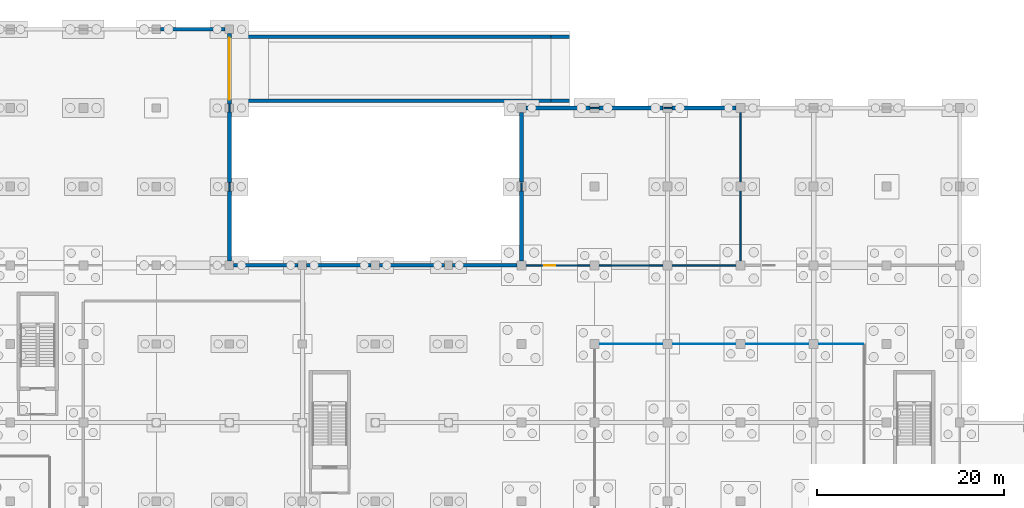
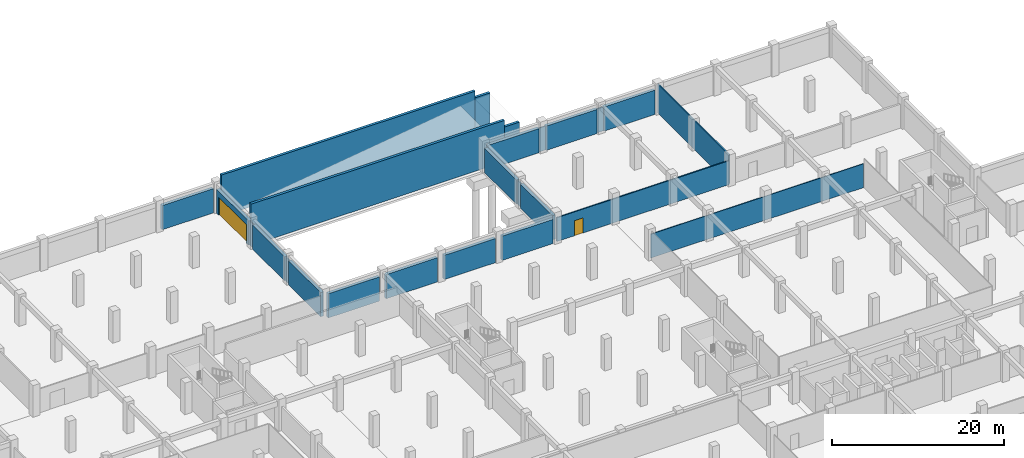
# One storey, part 20 of 30: 25 walls, 2 doors, 2 openings.
"""IFC4 building model written with IfcOpenShell, lengths in metres."""

import ifcopenshell
import ifcopenshell.guid

model = None  # the IFC model being written
_history = None  # IfcOwnerHistory: only IFC2X3 demands one
_inside = {}  # id of a spatial element -> (the spatial element, [elements in it])
_under = {}  # id of a project, library or spatial element -> (it, [spatial elements below it])
_declared = {}  # id of a project -> (the project, [libraries it declares])
_typed = {}  # id of a type object -> (the type object, [elements of that type])
_made_of = {}  # id of a material, layer set ... -> (it, [elements and type objects made of it])


def new_model(schema):
    """Start an empty IFC model of exactly this schema.

    Asked for "IFC4X3", IfcOpenShell would pick the latest addendum, in which some entities
    have other attributes; the version numbers below select the first issue.
    IFC2X3 requires an IfcOwnerHistory on every rooted entity: one is made here for all.
    """
    global model, _history
    if schema == "IFC4X3":
        model = ifcopenshell.file(schema_version=(4, 3, 0, 0))
    else:
        model = ifcopenshell.file(schema=schema)
    _inside.clear()
    _under.clear()
    _declared.clear()
    _typed.clear()
    _made_of.clear()
    _history = None
    if model.schema == "IFC2X3":
        org = make("IfcOrganization", Name="unknown")
        user = make(
            "IfcPersonAndOrganization",
            ThePerson=make("IfcPerson", FamilyName="unknown"),
            TheOrganization=org,
        )
        app = make(
            "IfcApplication",
            ApplicationDeveloper=org,
            Version="unknown",
            ApplicationFullName="unknown",
            ApplicationIdentifier="unknown",
        )
        _history = make(
            "IfcOwnerHistory",
            OwningUser=user,
            OwningApplication=app,
            ChangeAction="ADDED",
            CreationDate=0,
        )
    return model


def make(cls, **values):
    """One entity of the class cls with the attributes given. An attribute that is None is left unset."""
    return model.create_entity(
        cls, **{name: value for name, value in values.items() if value is not None}
    )


def rooted(cls, **values):
    """An entity with a GlobalId (a new one), such as an element, a storey or a relation."""
    return make(cls, GlobalId=ifcopenshell.guid.new(), OwnerHistory=_history, **values)


def si_unit(unit_type, name, prefix=None):
    """IfcSIUnit, for example si_unit("LENGTHUNIT", "METRE", prefix="MILLI")."""
    return make("IfcSIUnit", UnitType=unit_type, Prefix=prefix, Name=name)


def assignment(units):
    """IfcUnitAssignment: the units of a project."""
    return None if units is None else make("IfcUnitAssignment", Units=units)


def point(xyz):
    """IfcCartesianPoint."""
    return None if xyz is None else make("IfcCartesianPoint", Coordinates=xyz)


def direction(xyz):
    """IfcDirection."""
    return None if xyz is None else make("IfcDirection", DirectionRatios=xyz)


def frame(location, z_axis=None, x_axis=None):
    """IfcAxis2Placement3D, a coordinate frame: its origin and axes. An axis left out is left unset."""
    return make(
        "IfcAxis2Placement3D",
        Location=point(location),
        Axis=direction(z_axis),
        RefDirection=direction(x_axis),
    )


def frame_2d(location, x_axis=None):
    """IfcAxis2Placement2D, a coordinate frame in the plane: its origin and x axis."""
    return make(
        "IfcAxis2Placement2D", Location=point(location), RefDirection=direction(x_axis)
    )


def origin():
    """The frame at (0, 0, 0) with its axes left unset."""
    return frame((0.0, 0.0, 0.0))


def place(relative_to, where):
    """IfcLocalPlacement: puts the frame where relative to a parent placement (None: the world)."""
    return make(
        "IfcLocalPlacement", PlacementRelTo=relative_to, RelativePlacement=where
    )


def context(
    kind, dimensions, precision=None, world=None, true_north=None, identifier=None
):
    """IfcGeometricRepresentationContext, for example the 3D "Model" context."""
    return make(
        "IfcGeometricRepresentationContext",
        ContextIdentifier=identifier,
        ContextType=kind,
        CoordinateSpaceDimension=dimensions,
        Precision=precision,
        WorldCoordinateSystem=world,
        TrueNorth=true_north,
    )


def subcontext(parent, identifier, kind, view, scale=None):
    """IfcGeometricRepresentationSubContext, for example "Body" below "Model"."""
    return make(
        "IfcGeometricRepresentationSubContext",
        ContextIdentifier=identifier,
        ContextType=kind,
        ParentContext=parent,
        TargetScale=scale,
        TargetView=view,
    )


def project(units=None, contexts=None):
    """IfcProject with its units and contexts."""
    return rooted(
        "IfcProject",
        Name="project",
        RepresentationContexts=contexts,
        UnitsInContext=assignment(units),
    )


def spatial(cls, under=None, at=None, **own):
    """A site, building, storey or space (cls), placed at a placement, below another one or the project."""
    s = rooted(cls, ObjectPlacement=at, **own)
    if under is not None:
        _under.setdefault(under.id(), (under, []))[1].append(s)
    return s


def profile(cls, at=None, kind="AREA", **sizes):
    """A parametric profile (cls). Its sizes go by their IFC names, for example OverallWidth=200.0."""
    return make(cls, ProfileType=kind, Position=at, **sizes)


def rectangle(**sizes):
    """IfcRectangleProfileDef."""
    return profile("IfcRectangleProfileDef", **sizes)


def extrude(swept, where, along, depth):
    """IfcExtrudedAreaSolid: the profile swept, set in the frame where, extruded along a direction by depth."""
    return make(
        "IfcExtrudedAreaSolid",
        SweptArea=swept,
        Position=where,
        ExtrudedDirection=direction(along),
        Depth=depth,
    )


def shape(context_of_items, identifier, shape_type, items):
    """IfcShapeRepresentation: the items that make up one representation, for example the "Body"."""
    return make(
        "IfcShapeRepresentation",
        ContextOfItems=context_of_items,
        RepresentationIdentifier=identifier,
        RepresentationType=shape_type,
        Items=items,
    )


def material(Name=None, Category=None):
    """IfcMaterial."""
    return make("IfcMaterial", Name=Name, Category=Category)


def layer(
    of_material, thickness, ventilated=None, Name=None, Category=None, Priority=None
):
    """IfcMaterialLayer: one layer of a wall or slab, of a material (None: an air gap)."""
    return make(
        "IfcMaterialLayer",
        Material=of_material,
        LayerThickness=thickness,
        IsVentilated=ventilated,
        Name=Name,
        Category=Category,
        Priority=Priority,
    )


def layer_set(layers, Name=None):
    """IfcMaterialLayerSet."""
    return make("IfcMaterialLayerSet", MaterialLayers=layers, LayerSetName=Name)


def made_of(thing, what):
    """Note that an element or type object is made of a material, layer set ...; save() writes the relation."""
    if what is not None:
        _made_of.setdefault(what.id(), (what, []))[1].append(thing)
    return thing


def type_object(cls, material=None, **own):
    """A type object (cls), such as IfcWallType, which elements share."""
    return made_of(rooted(cls, **own), material)


def element(
    cls,
    number,
    at=None,
    inside=None,
    cuts=None,
    type_object=None,
    material=None,
    context=None,
    identifier="Body",
    shape_type=None,
    held_by="IfcProductDefinitionShape",
    body=None,
    shapes=None,
    **own,
):
    """One element of the class cls, such as IfcWall. Its Tag is "e" and its number.

    at: its placement. inside: the storey or other place that contains it. cuts: it is an
    opening in that element (IfcRelVoidsElement). A single representation is given by context,
    identifier, shape_type and body (its items); several are given by shapes. held_by: the class
    of the entity that holds the representations. save() writes the other relations.
    """
    e = rooted(cls, Tag="e%d" % number, ObjectPlacement=at, **own)
    if body is not None:
        shapes = [shape(context, identifier, shape_type, body)]
    if shapes is not None:
        e.Representation = make(held_by, Representations=shapes)
    if inside is not None:
        _inside.setdefault(inside.id(), (inside, []))[1].append(e)
    if cuts is not None:
        rooted(
            "IfcRelVoidsElement", RelatingBuildingElement=cuts, RelatedOpeningElement=e
        )
    if type_object is not None:
        _typed.setdefault(type_object.id(), (type_object, []))[1].append(e)
    return made_of(e, material)


def fill(opening, filler):
    """IfcRelFillsElement: the door or window that sits in an opening."""
    return rooted(
        "IfcRelFillsElement",
        RelatingOpeningElement=opening,
        RelatedBuildingElement=filler,
    )


def aggregate(whole, parts):
    """IfcRelAggregates: a whole, such as a stair, and the parts it consists of."""
    return rooted("IfcRelAggregates", RelatingObject=whole, RelatedObjects=parts)


def save(model, path):
    """Write the relations noted so far, then the file.

    IfcRelAggregates (storeys below a building ...), IfcRelContainedInSpatialStructure (elements
    in a storey), IfcRelDefinesByType, IfcRelAssociatesMaterial and IfcRelDeclares: one each for
    every whole, place, type object, material and project.
    """
    for whole, parts in _under.values():
        aggregate(whole, parts)
    for where, things in _inside.values():
        rooted(
            "IfcRelContainedInSpatialStructure",
            RelatedElements=things,
            RelatingStructure=where,
        )
    for kind, things in _typed.values():
        rooted("IfcRelDefinesByType", RelatedObjects=things, RelatingType=kind)
    for what, things in _made_of.values():
        rooted("IfcRelAssociatesMaterial", RelatedObjects=things, RelatingMaterial=what)
    for by, libraries in _declared.values():
        rooted("IfcRelDeclares", RelatingContext=by, RelatedDefinitions=libraries)
    model.write(path)


model = new_model("IFC4")

# Units and contexts
model_context = context("Model", 3, precision=1e-05, world=origin(), true_north=direction((0.0, 1.0)))
body_context = subcontext(model_context, "Body", "Model", "MODEL_VIEW")
ifc_project = project(units=[si_unit("LENGTHUNIT", "METRE"), si_unit("AREAUNIT", "SQUARE_METRE"), si_unit("VOLUMEUNIT", "CUBIC_METRE"), si_unit("PLANEANGLEUNIT", "RADIAN"), si_unit("MASSUNIT", "GRAM", prefix="KILO"), si_unit("THERMODYNAMICTEMPERATUREUNIT", "KELVIN"), si_unit("POWERUNIT", "WATT")], contexts=[model_context])

# Site, building, storey
site_placement = place(None, origin())
site = spatial("IfcSite", under=ifc_project, at=site_placement, CompositionType="ELEMENT")
building_placement = place(site_placement, origin())
building = spatial("IfcBuilding", under=site, at=building_placement, Name="Srebrne Nadtorze General Hospital", CompositionType="ELEMENT")
storey_placement = place(building_placement, frame((0.0, 0.0, -4.5)))
storey = spatial("IfcBuildingStorey", under=building, at=storey_placement, Name="B1", CompositionType="ELEMENT", Elevation=-4.5)

# Walls
ifc_material_1 = material(Name="Concrete C35/45", Category="concrete")
ifc_layer_1 = layer(ifc_material_1, 0.39990234375)
ifc_layer_set_1 = layer_set([ifc_layer_1], Name="Concrete C35/45")
wall_type_1 = type_object("IfcWallType", Name="Basement retaining wall 400", PredefinedType="SOLIDWALL", material=ifc_layer_set_1)
for number, where, z_axis, x_axis, name in (
    (1, (70.64990234375, 92.39990234375, 0.0), (0.0, 0.0, 1.0), (1.0, 0.0, 0.0), "Exterior wall WL-ENV-B1-0029"),
    (2, (78.449951171875, 92.39990234375, 0.0), (0.0, 0.0, 1.0), (1.0, 0.0, 0.0), "Exterior wall WL-ENV-B1-0030"),
):
    element("IfcWall", number, at=place(storey_placement, frame(where, z_axis=z_axis, x_axis=x_axis)), inside=storey, type_object=wall_type_1, Name=name, PredefinedType="SOLIDWALL", context=body_context, shape_type="SweptSolid", body=[
        extrude(rectangle(XDim=6.900146484375, YDim=0.39990234375, at=frame_2d((3.4501953125, 0.0))), origin(), (0.0, 0.0, 1.0), 3.449951171875),
    ])
wall_1_placement = place(storey_placement, frame((86.25, 92.39990234375, 0.0), z_axis=(0.0, 0.0, 1.0), x_axis=(1.0, 0.0, 0.0)))
element("IfcWall", 3, at=wall_1_placement, inside=storey, type_object=wall_type_1, Name="Exterior wall WL-ENV-B1-0031", PredefinedType="SOLIDWALL", context=body_context, shape_type="SweptSolid", body=[
    extrude(rectangle(XDim=6.89990234375, YDim=0.39990234375, at=frame_2d((3.449951171875, 0.0))), origin(), (0.0, 0.0, 1.0), 3.449951171875),
])
wall_2_placement = place(storey_placement, frame((94.050048828125, 92.39990234375, 0.0), z_axis=(0.0, 0.0, 1.0), x_axis=(1.0, 0.0, 0.0)))
element("IfcWall", 4, at=wall_2_placement, inside=storey, type_object=wall_type_1, Name="Exterior wall WL-ENV-B1-0032", PredefinedType="SOLIDWALL", context=body_context, shape_type="SweptSolid", body=[
    extrude(rectangle(XDim=6.875, YDim=0.39990234375, at=frame_2d((3.4375, 0.0))), origin(), (0.0, 0.0, 1.0), 3.449951171875),
])
wall_3_placement = place(storey_placement, frame((101.875, 109.199951171875, 0.0), z_axis=(0.0, 0.0, 1.0), x_axis=(1.0, 0.0, 0.0)))
element("IfcWall", 5, at=wall_3_placement, inside=storey, type_object=wall_type_1, Name="Exterior wall WL-ENV-B1-0033", PredefinedType="SOLIDWALL", context=body_context, shape_type="SweptSolid", body=[
    extrude(rectangle(XDim=6.85009765625, YDim=0.39990234375, at=frame_2d((3.425048828125, 0.0))), origin(), (0.0, 0.0, 1.0), 3.449951171875),
])
for number, where, z_axis, x_axis, name in (
    (6, (109.675048828125, 109.199951171875, 0.0), (0.0, 0.0, 1.0), (1.0, 0.0, 0.0), "Exterior wall WL-ENV-B1-0034"),
    (7, (117.47509765625, 109.199951171875, 0.0), (0.0, 0.0, 1.0), (1.0, 0.0, 0.0), "Exterior wall WL-ENV-B1-0035"),
):
    element("IfcWall", number, at=place(storey_placement, frame(where, z_axis=z_axis, x_axis=x_axis)), inside=storey, type_object=wall_type_1, Name=name, PredefinedType="SOLIDWALL", context=body_context, shape_type="SweptSolid", body=[
        extrude(rectangle(XDim=6.849853515625, YDim=0.39990234375, at=frame_2d((3.4248046875, 0.0))), origin(), (0.0, 0.0, 1.0), 3.449951171875),
    ])
wall_4_placement = place(storey_placement, frame((62.85009765625, 117.60009765625, 0.0), z_axis=(0.0, 0.0, 1.0), x_axis=(1.0, 0.0, 0.0)))
element("IfcWall", 8, at=wall_4_placement, inside=storey, type_object=wall_type_1, Name="Exterior wall WL-ENV-B1-0044", PredefinedType="SOLIDWALL", context=body_context, shape_type="SweptSolid", body=[
    extrude(rectangle(XDim=6.89990234375, YDim=0.39990234375, at=frame_2d((3.449951171875, 0.0))), origin(), (0.0, 0.0, 1.0), 3.449951171875),
])
for number, where, z_axis, x_axis, name in (
    (9, (70.199951171875, 92.85009765625, 0.0), (0.0, 0.0, 1.0), (0.0, 1.0, 0.0), "Exterior wall WL-ENV-B1-0059"),
    (10, (70.199951171875, 101.25, 0.0), (0.0, 0.0, 1.0), (0.0, 1.0, 0.0), "Exterior wall WL-ENV-B1-0060"),
):
    element("IfcWall", number, at=place(storey_placement, frame(where, z_axis=z_axis, x_axis=x_axis)), inside=storey, type_object=wall_type_1, Name=name, PredefinedType="SOLIDWALL", context=body_context, shape_type="SweptSolid", body=[
        extrude(rectangle(XDim=7.5, YDim=0.39990234375, at=frame_2d((3.75, 0.0))), origin(), (0.0, 0.0, 1.0), 3.449951171875),
    ])

# Wall, opening, door
wall_5_placement = place(storey_placement, frame((70.199951171875, 109.64990234375, 0.0), z_axis=(0.0, 0.0, 1.0), x_axis=(0.0, 1.0, 0.0)))
wall_5 = element("IfcWall", 11, at=wall_5_placement, inside=storey, type_object=wall_type_1, Name="Exterior wall WL-ENV-B1-0061", PredefinedType="SOLIDWALL", context=body_context, shape_type="SweptSolid", body=[
    extrude(rectangle(XDim=7.5, YDim=0.39990234375, at=frame_2d((3.75, 0.0))), origin(), (0.0, 0.0, 1.0), 3.449951171875),
])
opening_1_placement = place(wall_5_placement, frame((0.449951171875, 0.0, 0.0)))
opening_1 = element("IfcOpeningElement", 12, at=opening_1_placement, cuts=wall_5, Name="Opening D-B1-0165", PredefinedType="OPENING", context=body_context, shape_type="SweptSolid", body=[
    extrude(rectangle(XDim=6.60009765625, YDim=2.60009765625, at=frame_2d((3.300048828125, 1.300048828125))), frame((0.0, 0.2119140625, 0.0), z_axis=(0.0, -1.0, 0.0), x_axis=(1.0, 0.0, 0.0)), (0.0, 0.0, 1.0), 0.423828125),
])
ifc_material_2 = material(Name="Anodised Aluminium", Category="aluminium")
door_type_1 = type_object("IfcDoorType", Name="Vehicle ramp portal gate 6600x2600", OperationType="SLIDING_TO_LEFT", PredefinedType="GATE", material=ifc_material_2)
door_1_placement = place(opening_1_placement, origin())
door_1 = element("IfcDoor", 13, at=door_1_placement, inside=storey, type_object=door_type_1, Name="Vehicle ramp foot gate D-B1-0165", OperationType="SLIDING_TO_LEFT", OverallHeight=2.60009765625, OverallWidth=6.60009765625, PredefinedType="GATE", context=body_context, shape_type="SweptSolid", body=[
    extrude(rectangle(XDim=6.60009765625, YDim=2.60009765625, at=frame_2d((3.300048828125, 1.300048828125))), frame((0.0, 0.02490234375, 0.0), z_axis=(0.0, -1.0, 0.0), x_axis=(1.0, 0.0, 0.0)), (0.0, 0.0, 1.0), 0.050048828125),
])
fill(opening_1, door_1)

# Walls
wall_6_placement = place(storey_placement, frame((101.39990234375, 92.875, 0.0), z_axis=(0.0, 0.0, 1.0), x_axis=(0.0, 1.0, 0.0)))
element("IfcWall", 14, at=wall_6_placement, inside=storey, type_object=wall_type_1, Name="Exterior wall WL-ENV-B1-0062", PredefinedType="SOLIDWALL", context=body_context, shape_type="SweptSolid", body=[
    extrude(rectangle(XDim=7.449951171875, YDim=0.39990234375, at=frame_2d((3.72509765625, 0.0))), origin(), (0.0, 0.0, 1.0), 3.449951171875),
])
wall_7_placement = place(storey_placement, frame((101.39990234375, 101.27490234375, 0.0), z_axis=(0.0, 0.0, 1.0), x_axis=(0.0, 1.0, 0.0)))
element("IfcWall", 15, at=wall_7_placement, inside=storey, type_object=wall_type_1, Name="Exterior wall WL-ENV-B1-0063", PredefinedType="SOLIDWALL", context=body_context, shape_type="SweptSolid", body=[
    extrude(rectangle(XDim=7.4501953125, YDim=0.39990234375, at=frame_2d((3.72509765625, 0.0))), origin(), (0.0, 0.0, 1.0), 3.449951171875),
])
ifc_material_3 = material(Name="Gypsum Healthcare Partition")
ifc_layer_2 = layer(ifc_material_3, 0.139892578125)
ifc_layer_set_2 = layer_set([ifc_layer_2], Name="Gypsum Healthcare Partition")
wall_type_2 = type_object("IfcWallType", Name="Clinical partition 140", PredefinedType="PARTITIONING", material=ifc_layer_set_2)
for number, where, z_axis, x_axis, name in (
    (16, (70.199951171875, 100.389892578125, 0.0), (0.0, 0.0, 1.0), (0.0, 1.0, 0.0), "Staff Underground Parking Garage wall WL-INT-B1-1202"),
    (17, (70.199951171875, 108.7900390625, 0.0), (0.0, 0.0, 1.0), (0.0, 1.0, 0.0), "Staff Underground Parking Garage wall WL-INT-B1-1203"),
):
    element("IfcWall", number, at=place(storey_placement, frame(where, z_axis=z_axis, x_axis=x_axis)), inside=storey, type_object=wall_type_2, Name=name, PredefinedType="PARTITIONING", context=body_context, shape_type="SweptSolid", body=[
        extrude(rectangle(XDim=0.820068359375, YDim=0.139892578125, at=frame_2d((0.41015625, 0.0))), origin(), (0.0, 0.0, 1.0), 3.39990234375),
    ])

# Wall, opening, door
ifc_material_4 = material(Name="Gypsum Healthcare Partition")
ifc_layer_3 = layer(ifc_material_4, 0.159912109375)
ifc_layer_set_3 = layer_set([ifc_layer_3], Name="Gypsum Healthcare Partition")
wall_type_3 = type_object("IfcWallType", Name="Clinical partition 160", PredefinedType="PARTITIONING", material=ifc_layer_set_3)
wall_8_placement = place(storey_placement, frame((101.485107421875, 92.39990234375, 0.0), z_axis=(0.0, 0.0, 1.0), x_axis=(1.0, 0.0, 0.0)))
wall_8 = element("IfcWall", 18, at=wall_8_placement, inside=storey, type_object=wall_type_3, Name="Hospital Bulk Pharmacy Store wall WL-INT-B1-1208", PredefinedType="PARTITIONING", context=body_context, shape_type="SweptSolid", body=[
    extrude(rectangle(XDim=23.22998046875, YDim=0.159912109375, at=frame_2d((11.614990234375, 0.0))), origin(), (0.0, 0.0, 1.0), 3.39990234375),
])
opening_2_placement = place(wall_8_placement, frame((2.33837890625, 0.0, 0.0)))
opening_2 = element("IfcOpeningElement", 19, at=opening_2_placement, cuts=wall_8, Name="Opening D-B1-0168", PredefinedType="OPENING", context=body_context, shape_type="SweptSolid", body=[
    extrude(rectangle(XDim=1.199951171875, YDim=2.14990234375, at=frame_2d((0.60009765625, 1.074951171875))), frame((0.0, 0.091796875, 0.0), z_axis=(0.0, -1.0, 0.0), x_axis=(1.0, 0.0, 0.0)), (0.0, 0.0, 1.0), 0.183837890625),
])
ifc_material_5 = material(Name="Anodised Aluminium", Category="aluminium")
door_type_2 = type_object("IfcDoorType", Name="Single leaf door 1200x2150", OperationType="NOTDEFINED", PredefinedType="DOOR", material=ifc_material_5)
door_2_placement = place(opening_2_placement, origin())
door_2 = element("IfcDoor", 20, at=door_2_placement, inside=storey, type_object=door_type_2, Name="Hospital Bulk Pharmacy Store door D-B1-0168", OperationType="SINGLE_SWING_LEFT", OverallHeight=2.14990234375, OverallWidth=1.199951171875, PredefinedType="DOOR", context=body_context, shape_type="SweptSolid", body=[
    extrude(rectangle(XDim=1.199951171875, YDim=2.14990234375, at=frame_2d((0.60009765625, 1.074951171875))), frame((0.0, 0.02490234375, 0.0), z_axis=(0.0, -1.0, 0.0), x_axis=(1.0, 0.0, 0.0)), (0.0, 0.0, 1.0), 0.050048828125),
])
fill(opening_2, door_2)

# Walls
for number, where, z_axis, x_axis, name in (
    (21, (108.764892578125, 109.199951171875, 0.0), (0.0, 0.0, 1.0), (1.0, 0.0, 0.0), "Hospital Bulk Pharmacy Store wall WL-INT-B1-1209"),
    (22, (116.56494140625, 109.199951171875, 0.0), (0.0, 0.0, 1.0), (1.0, 0.0, 0.0), "Hospital Bulk Pharmacy Store wall WL-INT-B1-1210"),
    (23, (101.39990234375, 100.364990234375, 0.0), (0.0, 0.0, 1.0), (0.0, 1.0, 0.0), "Hospital Bulk Pharmacy Store wall WL-INT-B1-1211"),
):
    element("IfcWall", number, at=place(storey_placement, frame(where, z_axis=z_axis, x_axis=x_axis)), inside=storey, type_object=wall_type_3, Name=name, PredefinedType="PARTITIONING", context=body_context, shape_type="SweptSolid", body=[
        extrude(rectangle(XDim=0.8701171875, YDim=0.159912109375, at=frame_2d((0.43505859375, 0.0))), origin(), (0.0, 0.0, 1.0), 3.39990234375),
    ])
wall_9_placement = place(storey_placement, frame((124.800048828125, 92.485107421875, 0.0), z_axis=(0.0, 0.0, 1.0), x_axis=(0.0, 1.0, 0.0)))
element("IfcWall", 24, at=wall_9_placement, inside=storey, type_object=wall_type_3, Name="Hospital Bulk Pharmacy Store wall WL-INT-B1-1212", PredefinedType="PARTITIONING", context=body_context, shape_type="SweptSolid", body=[
    extrude(rectangle(XDim=16.6298828125, YDim=0.159912109375, at=frame_2d((8.31494140625, 0.0))), origin(), (0.0, 0.0, 1.0), 4.1298828125),
])
ifc_material_6 = material(Name="Gypsum Healthcare Partition")
ifc_layer_4 = layer(ifc_material_6, 0.10009765625)
ifc_layer_set_4 = layer_set([ifc_layer_4], Name="Gypsum Healthcare Partition")
wall_type_4 = type_object("IfcWallType", Name="Shaft lining wall 100", PredefinedType="PARTITIONING", material=ifc_layer_set_4)
wall_10_placement = place(storey_placement, frame((109.284912109375, 84.0, 0.0), z_axis=(0.0, 0.0, 1.0), x_axis=(1.0, 0.0, 0.0)))
element("IfcWall", 25, at=wall_10_placement, inside=storey, type_object=wall_type_4, Name="Main Medium-Voltage Switchroom wall WL-INT-B1-1249", PredefinedType="PARTITIONING", context=body_context, shape_type="SweptSolid", body=[
    extrude(rectangle(XDim=28.630126953125, YDim=0.10009765625, at=frame_2d((14.31494140625, 0.0))), origin(), (0.0, 0.0, 1.0), 3.39990234375),
])
ifc_material_7 = material(Name="Concrete C40/50", Category="concrete")
ifc_layer_5 = layer(ifc_material_7, 0.35009765625)
ifc_layer_set_5 = layer_set([ifc_layer_5], Name="Concrete C40/50")
wall_type_5 = type_object("IfcWallType", Name="Shear core wall 350", PredefinedType="SHEAR", material=ifc_layer_set_5)
wall_11_placement = place(storey_placement, frame((70.39990234375, 109.97509765625, -0.280029296875), z_axis=(0.0, 0.0, 1.0), x_axis=(1.0, 0.0, 0.0)))
element("IfcWall", 26, at=wall_11_placement, inside=storey, type_object=wall_type_5, Name="Vehicle ramp trench south wall WL-INT-B1-1192", PredefinedType="SHEAR", context=body_context, shape_type="SweptSolid", body=[
    extrude(rectangle(XDim=34.14306640625, YDim=0.35009765625, at=frame_2d((17.071533203125, 0.0))), origin(), (0.0, 0.0, 1.0), 5.880126953125),
])
wall_12_placement = place(storey_placement, frame((104.54296875, 109.97509765625, -0.280029296875), z_axis=(0.0, 0.0, 1.0), x_axis=(1.0, 0.0, 0.0)))
element("IfcWall", 27, at=wall_12_placement, inside=storey, type_object=wall_type_5, Name="Vehicle ramp trench south wall WL-INT-B1-1193", PredefinedType="SHEAR", context=body_context, shape_type="SweptSolid", body=[
    extrude(rectangle(XDim=2.0, YDim=0.35009765625, at=frame_2d((1.0, 0.0))), origin(), (0.0, 0.0, 1.0), 4.929931640625),
])
wall_13_placement = place(storey_placement, frame((70.39990234375, 116.824951171875, -0.280029296875), z_axis=(0.0, 0.0, 1.0), x_axis=(1.0, 0.0, 0.0)))
element("IfcWall", 28, at=wall_13_placement, inside=storey, type_object=wall_type_5, Name="Vehicle ramp trench north wall WL-INT-B1-1194", PredefinedType="SHEAR", context=body_context, shape_type="SweptSolid", body=[
    extrude(rectangle(XDim=34.14306640625, YDim=0.35009765625, at=frame_2d((17.071533203125, 0.0))), origin(), (0.0, 0.0, 1.0), 5.880126953125),
])
wall_14_placement = place(storey_placement, frame((104.54296875, 116.824951171875, -0.280029296875), z_axis=(0.0, 0.0, 1.0), x_axis=(1.0, 0.0, 0.0)))
element("IfcWall", 29, at=wall_14_placement, inside=storey, type_object=wall_type_5, Name="Vehicle ramp trench north wall WL-INT-B1-1195", PredefinedType="SHEAR", context=body_context, shape_type="SweptSolid", body=[
    extrude(rectangle(XDim=2.0, YDim=0.35009765625, at=frame_2d((1.0, 0.0))), origin(), (0.0, 0.0, 1.0), 4.929931640625),
])

save(model, "model.ifc")
